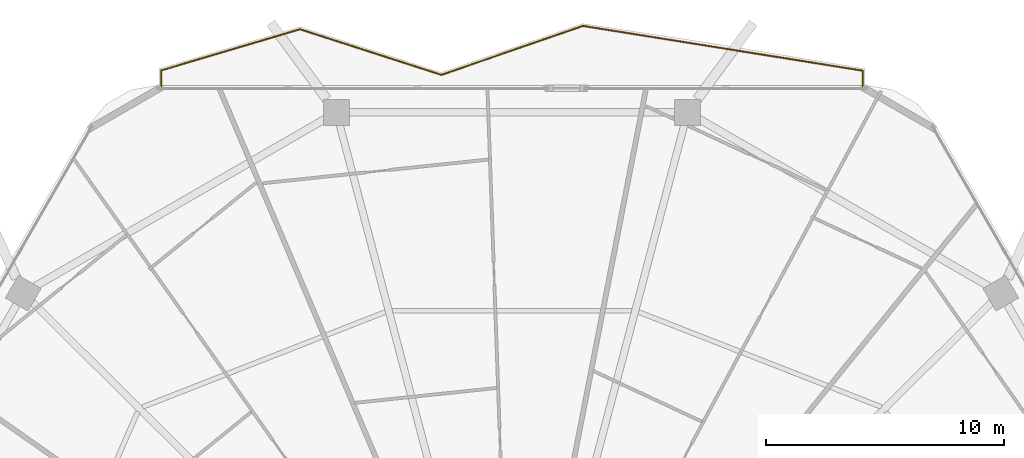
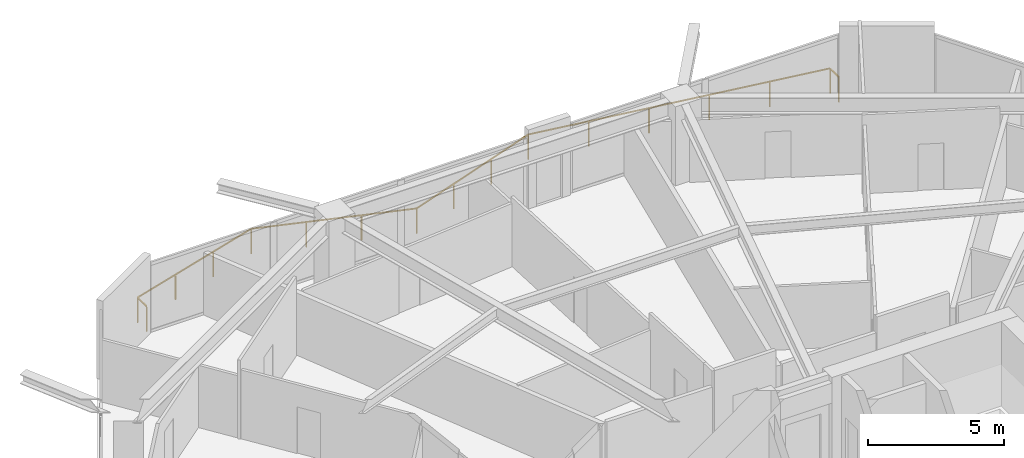
# One storey, part 33 of 33: 1 railing.
"""IFC4 building model written with IfcOpenShell, lengths in metres."""

from ifc_helpers import new_model, si_unit, direction, frame, origin, origin_2d, place, context, subcontext, project, spatial, rectangle, extrude, material, type_object, element, save


model = new_model("IFC4")

# Units and contexts
model_context = context("Model", 3, precision=1e-05, world=origin(), true_north=direction((0.0, 1.0)))
body_context = subcontext(model_context, "Body", "Model", "MODEL_VIEW")
ifc_project = project(units=[si_unit("LENGTHUNIT", "METRE"), si_unit("AREAUNIT", "SQUARE_METRE"), si_unit("VOLUMEUNIT", "CUBIC_METRE"), si_unit("PLANEANGLEUNIT", "RADIAN"), si_unit("MASSUNIT", "GRAM", prefix="KILO")], contexts=[model_context])

# Site, building, storey
site_placement = place(None, origin())
site = spatial("IfcSite", under=ifc_project, at=site_placement, CompositionType="ELEMENT")
building_placement = place(site_placement, origin())
building = spatial("IfcBuilding", under=site, at=building_placement, Name="Zuhravey Tower", CompositionType="ELEMENT")
storey_placement = place(building_placement, frame((0.0, 0.0, 103.800048828125)))
storey = spatial("IfcBuildingStorey", under=building, at=storey_placement, Name="L25", CompositionType="ELEMENT", Elevation=103.800048828125)

# Railing
ifc_material = material(Name="Stainless steel 316 and laminated glass", Category="steel")
railing_type = type_object("IfcRailingType", Name="Balcony & Terrace Guardrail 1150", PredefinedType="BALUSTRADE", material=ifc_material)
railing_placement = place(storey_placement, frame((21.271728515625, 61.04345703125, 0.0)))
element("IfcRailing", 1, at=railing_placement, inside=storey, type_object=railing_type, Name="L25 Face 2 Wave Balcony Guardrail GR1", PredefinedType="BALUSTRADE", context=body_context, shape_type="SweptSolid", body=[
    extrude(rectangle(XDim=0.048095703125, YDim=0.048095703125, at=origin_2d()), frame((0.0, 0.001953125, 1.1259765625), z_axis=(0.0, 1.0, 0.0), x_axis=(-1.0, 0.0, 0.0)), (0.0, 0.0, 1.0), 0.66162109375),
    extrude(rectangle(XDim=0.048095703125, YDim=0.048095703125, at=origin_2d()), frame((0.001953125, 0.666015625, 1.1259765625), z_axis=(0.958705719341, 0.284399971349, 0.0), x_axis=(-0.284399971349, 0.958705719341, 0.0)), (0.0, 0.0, 1.0), 6.0771484375),
    extrude(rectangle(XDim=0.048095703125, YDim=0.048095703125, at=origin_2d()), frame((5.83203125, 2.394287109375, 1.1259765625), z_axis=(0.95159415319, -0.307357393949, 0.0), x_axis=(0.307357393949, 0.95159415319, 0.0)), (0.0, 0.0, 1.0), 6.2314453125),
    extrude(rectangle(XDim=0.048095703125, YDim=0.048095703125, at=origin_2d()), frame((11.765625, 0.479248046875, 1.1259765625), z_axis=(0.944932957725, 0.327263969, 0.0), x_axis=(-0.327263969, 0.944932957725, 0.0)), (0.0, 0.0, 1.0), 6.28173828125),
    extrude(rectangle(XDim=0.048095703125, YDim=0.048095703125, at=origin_2d()), frame((17.705322265625, 2.535400390625, 1.1259765625), z_axis=(0.987442423806, -0.157979301389, 0.0), x_axis=(0.157979301389, 0.987442423806, 0.0)), (0.0, 0.0, 1.0), 11.898681640625),
    extrude(rectangle(XDim=0.048095703125, YDim=0.048095703125, at=origin_2d()), frame((29.45654296875, 0.6533203125, 1.1259765625), z_axis=(0.0, -1.0, 0.0), x_axis=(1.0, 0.0, 0.0)), (0.0, 0.0, 1.0), 0.6513671875),
    extrude(rectangle(XDim=0.0419921875, YDim=0.0419921875, at=origin_2d()), origin(), (0.0, 0.0, 1.0), 1.099853515625),
    extrude(rectangle(XDim=0.0419921875, YDim=0.0419921875, at=origin_2d()), frame((0.0, 0.66552734375, 0.0)), (0.0, 0.0, 1.0), 1.099853515625),
    extrude(rectangle(XDim=0.0419921875, YDim=0.0419921875, at=origin_2d()), frame((1.943359375, 1.241943359375, 0.0)), (0.0, 0.0, 1.0), 1.099853515625),
    extrude(rectangle(XDim=0.0419921875, YDim=0.0419921875, at=origin_2d()), frame((3.88671875, 1.818603515625, 0.0)), (0.0, 0.0, 1.0), 1.099853515625),
    extrude(rectangle(XDim=0.0419921875, YDim=0.0419921875, at=origin_2d()), frame((5.830078125, 2.39501953125, 0.0)), (0.0, 0.0, 1.0), 1.099853515625),
    extrude(rectangle(XDim=0.0419921875, YDim=0.0419921875, at=origin_2d()), frame((7.807861328125, 1.756103515625, 0.0)), (0.0, 0.0, 1.0), 1.099853515625),
    extrude(rectangle(XDim=0.0419921875, YDim=0.0419921875, at=origin_2d()), frame((9.785888671875, 1.117431640625, 0.0)), (0.0, 0.0, 1.0), 1.099853515625),
    extrude(rectangle(XDim=0.0419921875, YDim=0.0419921875, at=origin_2d()), frame((11.763671875, 0.478515625, 0.0)), (0.0, 0.0, 1.0), 1.099853515625),
    extrude(rectangle(XDim=0.0419921875, YDim=0.0419921875, at=origin_2d()), frame((13.74365234375, 1.164306640625, 0.0)), (0.0, 0.0, 1.0), 1.099853515625),
    extrude(rectangle(XDim=0.0419921875, YDim=0.0419921875, at=origin_2d()), frame((15.723388671875, 1.849853515625, 0.0)), (0.0, 0.0, 1.0), 1.099853515625),
    extrude(rectangle(XDim=0.0419921875, YDim=0.0419921875, at=origin_2d()), frame((17.703369140625, 2.53564453125, 0.0)), (0.0, 0.0, 1.0), 1.099853515625),
    extrude(rectangle(XDim=0.0419921875, YDim=0.0419921875, at=origin_2d()), frame((20.053955078125, 2.15966796875, 0.0)), (0.0, 0.0, 1.0), 1.099853515625),
    extrude(rectangle(XDim=0.0419921875, YDim=0.0419921875, at=origin_2d()), frame((22.404541015625, 1.783447265625, 0.0)), (0.0, 0.0, 1.0), 1.099853515625),
    extrude(rectangle(XDim=0.0419921875, YDim=0.0419921875, at=origin_2d()), frame((24.75537109375, 1.407470703125, 0.0)), (0.0, 0.0, 1.0), 1.099853515625),
    extrude(rectangle(XDim=0.0419921875, YDim=0.0419921875, at=origin_2d()), frame((27.10595703125, 1.03125, 0.0)), (0.0, 0.0, 1.0), 1.099853515625),
    extrude(rectangle(XDim=0.0419921875, YDim=0.0419921875, at=origin_2d()), frame((29.45654296875, 0.6552734375, 0.0)), (0.0, 0.0, 1.0), 1.099853515625),
    extrude(rectangle(XDim=0.0419921875, YDim=0.0419921875, at=origin_2d()), frame((29.45654296875, 0.0, 0.0)), (0.0, 0.0, 1.0), 1.099853515625),
])

save(model, "model.ifc")
